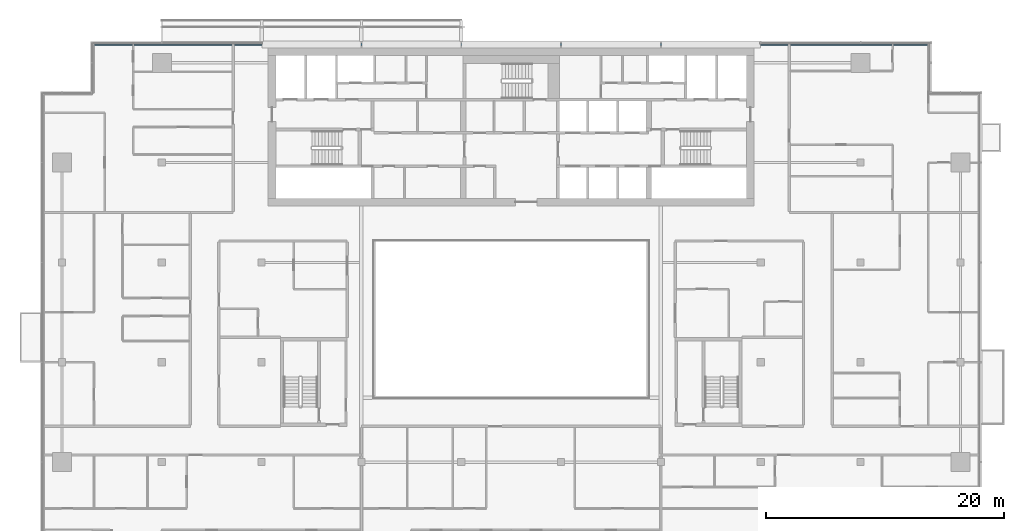
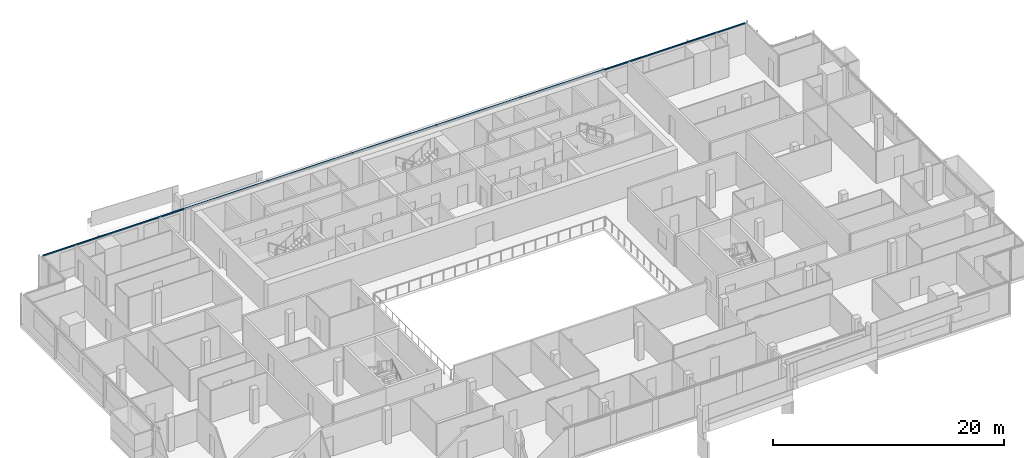
# One storey, part 9 of 27: 1 member, 1 element without a shape of its own.
"""IFC4 building model written with IfcOpenShell, lengths in metres."""

from ifc_helpers import new_model, si_unit, direction, frame, origin, origin_2d, place, context, subcontext, project, spatial, rectangle, extrude, material, material_profile, profile_set, type_object, element, aggregate, save


model = new_model("IFC4")

# Units and contexts
model_context = context("Model", 3, precision=1e-05, world=origin(), true_north=direction((0.0, 1.0)))
body_context = subcontext(model_context, "Body", "Model", "MODEL_VIEW")
ifc_project = project(units=[si_unit("LENGTHUNIT", "METRE"), si_unit("AREAUNIT", "SQUARE_METRE"), si_unit("VOLUMEUNIT", "CUBIC_METRE"), si_unit("PLANEANGLEUNIT", "RADIAN"), si_unit("MASSUNIT", "GRAM", prefix="KILO")], contexts=[model_context])

# Site, building, storey
site_placement = place(None, origin())
site = spatial("IfcSite", under=ifc_project, at=site_placement, CompositionType="ELEMENT")
building_placement = place(site_placement, origin())
building = spatial("IfcBuilding", under=site, at=building_placement, Name="Saffron Gate Tower", CompositionType="ELEMENT")
storey_placement = place(building_placement, frame((0.0, 0.0, 234.300048828125)))
storey = spatial("IfcBuildingStorey", under=building, at=storey_placement, Name="L57", CompositionType="ELEMENT", Elevation=234.300048828125)

# Curtain wall, member
ifc_material = material(Name="Aluminium, bronze anodised", Category="aluminium")
curtain_wall_type = type_object("IfcCurtainWallType", Name="CWS3 curtain wall rear facade", PredefinedType="NOTDEFINED", material=ifc_material)
curtain_wall_placement = place(storey_placement, origin())
curtain_wall = element("IfcCurtainWall", 1, at=curtain_wall_placement, inside=storey, type_object=curtain_wall_type, Name="CWS3 run 7", PredefinedType="NOTDEFINED")
ifc_material_profile = material_profile(ifc_material, rectangle(XDim=0.1201171875, YDim=0.1201171875, at=origin_2d()))
ifc_profile_set = profile_set([ifc_material_profile], Name="Aluminium, bronze anodised")
member_type = type_object("IfcMemberType", Name="CWS3 head transom", PredefinedType="USERDEFINED", material=ifc_profile_set)
member_placement = place(storey_placement, frame((122.632080078125, 75.35205078125, 3.260009765625), z_axis=(-1.0, 0.0, 0.0), x_axis=(0.0, -1.0, 0.0)))
member = element("IfcMember", 2, at=member_placement, type_object=member_type, Name="CWS3 head transom", ObjectType="TRANSOM", PredefinedType="USERDEFINED", context=body_context, shape_type="SweptSolid", body=[
    extrude(rectangle(XDim=0.1201171875, YDim=0.1201171875, at=origin_2d()), origin(), (0.0, 0.0, 1.0), 70.06396484375),
])
aggregate(curtain_wall, [member])

save(model, "model.ifc")
